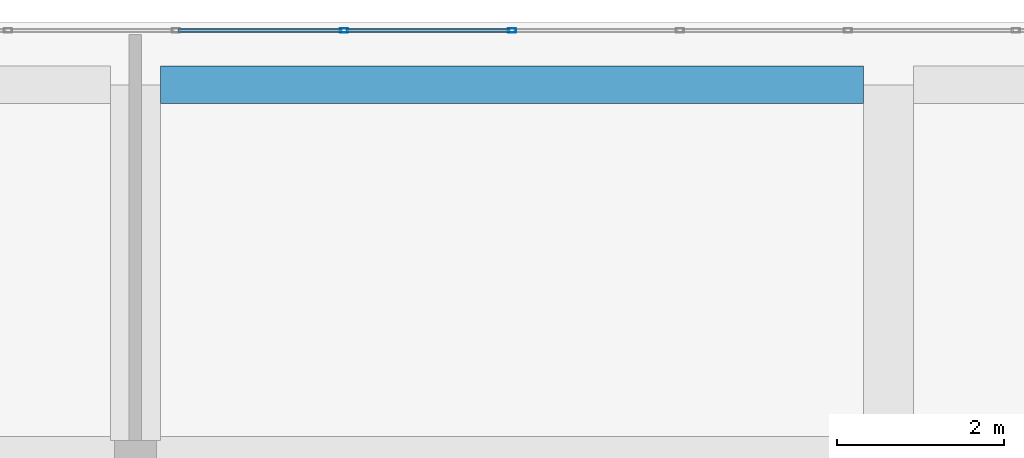
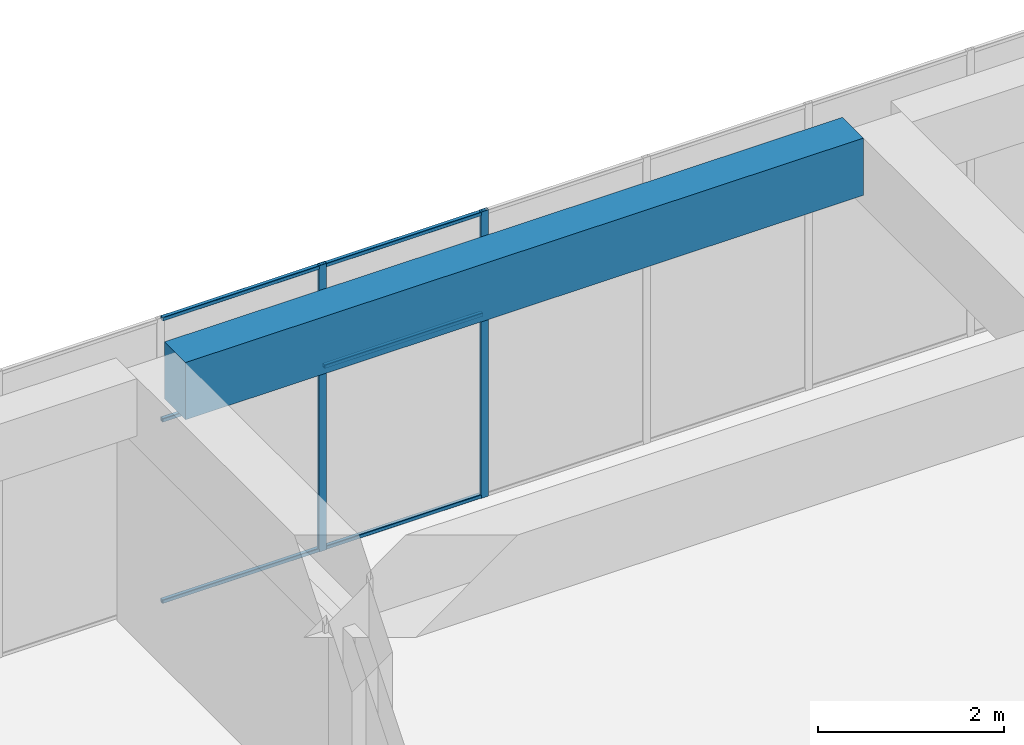
# One storey, part 22 of 34: 8 members, 1 beam, 1 element without a shape of its own.
"""IFC4 building model written with IfcOpenShell, lengths in metres."""

from ifc_helpers import new_model, si_unit, direction, frame, origin, origin_2d, place, context, subcontext, project, spatial, rectangle, hollow_rectangle, extrude, material, layer, layer_set, material_profile, profile_set, type_object, element, aggregate, save


model = new_model("IFC4")

# Units and contexts
model_context = context("Model", 3, precision=1e-05, world=origin(), true_north=direction((0.0, 1.0)))
body_context = subcontext(model_context, "Body", "Model", "MODEL_VIEW")
ifc_project = project(units=[si_unit("LENGTHUNIT", "METRE"), si_unit("AREAUNIT", "SQUARE_METRE"), si_unit("VOLUMEUNIT", "CUBIC_METRE"), si_unit("PLANEANGLEUNIT", "RADIAN"), si_unit("MASSUNIT", "GRAM", prefix="KILO")], contexts=[model_context])

# Site, building, storey
site_placement = place(None, origin())
site = spatial("IfcSite", under=ifc_project, at=site_placement, CompositionType="ELEMENT")
building_placement = place(site_placement, origin())
building = spatial("IfcBuilding", under=site, at=building_placement, Name="Tuart Plaza Theatre", CompositionType="ELEMENT")
storey_placement = place(building_placement, frame((0.0, 0.0, 53.5)))
storey = spatial("IfcBuildingStorey", under=building, at=storey_placement, Name="L13", CompositionType="ELEMENT", Elevation=53.5)

# Beam
ifc_material_1 = material(Name="Concrete N40 (40 MPa)", Category="concrete")
ifc_material_profile_1 = material_profile(ifc_material_1, rectangle(XDim=0.449951171875, YDim=0.75, at=origin_2d()), Name="BEAM 450x750 Concrete N40 (40 MPa)")
ifc_profile_set_1 = profile_set([ifc_material_profile_1], Name="Concrete N40 (40 MPa)")
beam_type = type_object("IfcBeamType", Name="BEAM 450x750 Concrete N40 (40 MPa)", PredefinedType="BEAM", material=ifc_profile_set_1)
beam_placement = place(storey_placement, frame((123.300048828125, 96.5, 3.375), z_axis=(1.0, 0.0, 0.0), x_axis=(0.0, 1.0, 0.0)))
element("IfcBeam", 1, at=beam_placement, inside=storey, type_object=beam_type, Name="RB332", PredefinedType="BEAM", context=body_context, shape_type="SweptSolid", body=[
    extrude(rectangle(XDim=0.449951171875, YDim=0.75, at=origin_2d()), origin(), (0.0, 0.0, 1.0), 8.39990234375),
])

# Curtain wall, members
ifc_material_2 = material(Name="Aluminium and glass", Category="aluminium")
ifc_layer = layer(ifc_material_2, 0.10009765625)
ifc_layer_set = layer_set([ifc_layer], Name="CURTAIN WALL 2000 module")
curtain_wall_type = type_object("IfcCurtainWallType", Name="CURTAIN WALL 2000 module", PredefinedType="NOTDEFINED", material=ifc_layer_set)
curtain_wall_placement = place(storey_placement, origin())
curtain_wall = element("IfcCurtainWall", 2, at=curtain_wall_placement, inside=storey, type_object=curtain_wall_type, Name="CW117", PredefinedType="NOTDEFINED")
ifc_material_3 = material(Name="Aluminium 6063-T5", Category="aluminium")
ifc_material_profile_2 = material_profile(ifc_material_3, hollow_rectangle(XDim=0.050048828125, YDim=0.10009765625, WallThickness=0.00390625, InnerFilletRadius=0.00390625, OuterFilletRadius=0.008056640625, at=origin_2d()), Name="RHS 100x50x4")
ifc_profile_set_2 = profile_set([ifc_material_profile_2], Name="Aluminium 6063-T5")
member_type_1 = type_object("IfcMemberType", Name="MULLION RHS 100x50x4", PredefinedType="MULLION", material=ifc_profile_set_2)
member_1_placement = place(storey_placement, frame((127.5, 97.14990234375, 0.0), z_axis=(0.0, 0.0, 1.0), x_axis=(0.0, -1.0, 0.0)))
member_1 = element("IfcMember", 3, at=member_1_placement, type_object=member_type_1, Name="CW117 mullion 8", PredefinedType="MULLION", context=body_context, shape_type="SweptSolid", body=[
    extrude(hollow_rectangle(XDim=0.050048828125, YDim=0.10009765625, WallThickness=0.00390625, InnerFilletRadius=0.00390625, OuterFilletRadius=0.008056640625, at=origin_2d()), origin(), (0.0, 0.0, 1.0), 3.75),
])
member_2_placement = place(storey_placement, frame((125.492919921875, 97.14990234375, 0.0), z_axis=(0.0, 0.0, 1.0), x_axis=(0.0, -1.0, 0.0)))
member_2 = element("IfcMember", 4, at=member_2_placement, type_object=member_type_1, Name="CW117 mullion 9", PredefinedType="MULLION", context=body_context, shape_type="SweptSolid", body=[
    extrude(hollow_rectangle(XDim=0.050048828125, YDim=0.10009765625, WallThickness=0.00390625, InnerFilletRadius=0.00390625, OuterFilletRadius=0.008056640625, at=origin_2d()), origin(), (0.0, 0.0, 1.0), 3.75),
])
ifc_material_4 = material(Name="Aluminium 6063-T5", Category="aluminium")
ifc_material_profile_3 = material_profile(ifc_material_4, hollow_rectangle(XDim=0.050048828125, YDim=0.050048828125, WallThickness=0.00390625, InnerFilletRadius=0.00390625, OuterFilletRadius=0.008056640625, at=origin_2d()), Name="RHS 50x50x4")
ifc_profile_set_3 = profile_set([ifc_material_profile_3], Name="Aluminium 6063-T5")
member_type_2 = type_object("IfcMemberType", Name="TRANSOM RHS 50x50x4", PredefinedType="USERDEFINED", material=ifc_profile_set_3)
member_3_placement = place(storey_placement, frame((127.47509765625, 97.14990234375, 0.02490234375), z_axis=(-1.0, 0.0, 0.0), x_axis=(0.0, -1.0, 0.0)))
member_3 = element("IfcMember", 5, at=member_3_placement, type_object=member_type_2, Name="CW117 transom 8.1", ObjectType="TRANSOM", PredefinedType="USERDEFINED", context=body_context, shape_type="SweptSolid", body=[
    extrude(hollow_rectangle(XDim=0.050048828125, YDim=0.050048828125, WallThickness=0.00390625, InnerFilletRadius=0.00390625, OuterFilletRadius=0.008056640625, at=origin_2d()), origin(), (0.0, 0.0, 1.0), 1.957275390625),
])
member_4_placement = place(storey_placement, frame((127.47509765625, 97.14990234375, 2.39990234375), z_axis=(-1.0, 0.0, 0.0), x_axis=(0.0, -1.0, 0.0)))
member_4 = element("IfcMember", 6, at=member_4_placement, type_object=member_type_2, Name="CW117 transom 8.2", ObjectType="TRANSOM", PredefinedType="USERDEFINED", context=body_context, shape_type="SweptSolid", body=[
    extrude(hollow_rectangle(XDim=0.050048828125, YDim=0.050048828125, WallThickness=0.00390625, InnerFilletRadius=0.00390625, OuterFilletRadius=0.008056640625, at=origin_2d()), origin(), (0.0, 0.0, 1.0), 1.957275390625),
])
member_5_placement = place(storey_placement, frame((127.47509765625, 97.14990234375, 3.72509765625), z_axis=(-1.0, 0.0, 0.0), x_axis=(0.0, -1.0, 0.0)))
member_5 = element("IfcMember", 7, at=member_5_placement, type_object=member_type_2, Name="CW117 transom 8.3", ObjectType="TRANSOM", PredefinedType="USERDEFINED", context=body_context, shape_type="SweptSolid", body=[
    extrude(hollow_rectangle(XDim=0.050048828125, YDim=0.050048828125, WallThickness=0.00390625, InnerFilletRadius=0.00390625, OuterFilletRadius=0.008056640625, at=origin_2d()), origin(), (0.0, 0.0, 1.0), 1.957275390625),
])
member_6_placement = place(storey_placement, frame((125.4677734375, 97.14990234375, 0.02490234375), z_axis=(-1.0, 0.0, 0.0), x_axis=(0.0, -1.0, 0.0)))
member_6 = element("IfcMember", 8, at=member_6_placement, type_object=member_type_2, Name="CW117 transom 9.1", ObjectType="TRANSOM", PredefinedType="USERDEFINED", context=body_context, shape_type="SweptSolid", body=[
    extrude(hollow_rectangle(XDim=0.050048828125, YDim=0.050048828125, WallThickness=0.00390625, InnerFilletRadius=0.00390625, OuterFilletRadius=0.008056640625, at=origin_2d()), origin(), (0.0, 0.0, 1.0), 1.95703125),
])
member_7_placement = place(storey_placement, frame((125.4677734375, 97.14990234375, 2.39990234375), z_axis=(-1.0, 0.0, 0.0), x_axis=(0.0, -1.0, 0.0)))
member_7 = element("IfcMember", 9, at=member_7_placement, type_object=member_type_2, Name="CW117 transom 9.2", ObjectType="TRANSOM", PredefinedType="USERDEFINED", context=body_context, shape_type="SweptSolid", body=[
    extrude(hollow_rectangle(XDim=0.050048828125, YDim=0.050048828125, WallThickness=0.00390625, InnerFilletRadius=0.00390625, OuterFilletRadius=0.008056640625, at=origin_2d()), origin(), (0.0, 0.0, 1.0), 1.95703125),
])
member_8_placement = place(storey_placement, frame((125.4677734375, 97.14990234375, 3.72509765625), z_axis=(-1.0, 0.0, 0.0), x_axis=(0.0, -1.0, 0.0)))
member_8 = element("IfcMember", 10, at=member_8_placement, type_object=member_type_2, Name="CW117 transom 9.3", ObjectType="TRANSOM", PredefinedType="USERDEFINED", context=body_context, shape_type="SweptSolid", body=[
    extrude(hollow_rectangle(XDim=0.050048828125, YDim=0.050048828125, WallThickness=0.00390625, InnerFilletRadius=0.00390625, OuterFilletRadius=0.008056640625, at=origin_2d()), origin(), (0.0, 0.0, 1.0), 1.95703125),
])
aggregate(curtain_wall, [member_1, member_2, member_3, member_4, member_5, member_6, member_7, member_8])

save(model, "model.ifc")
